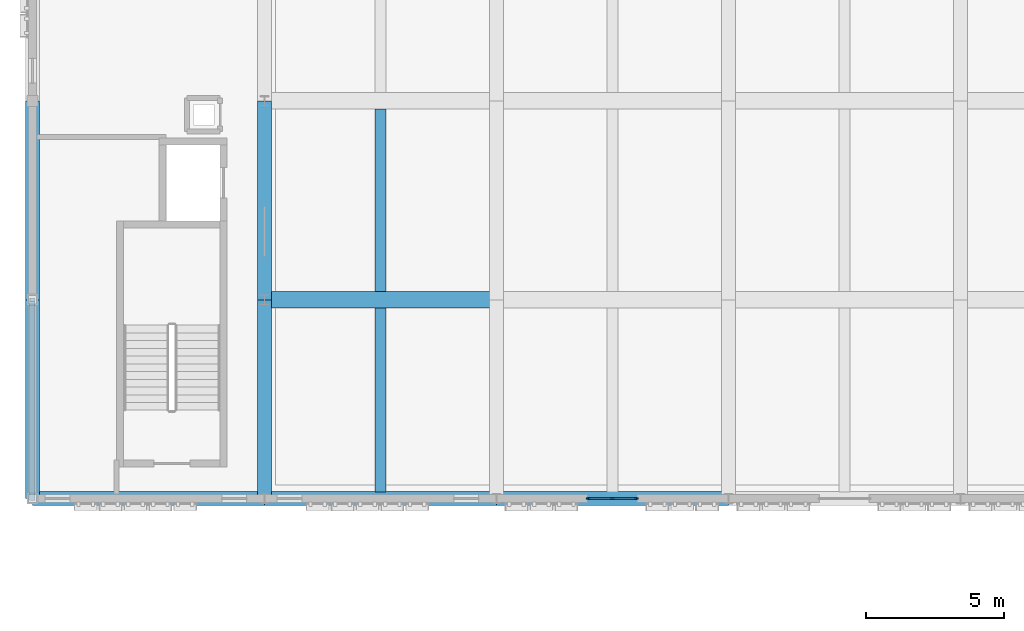
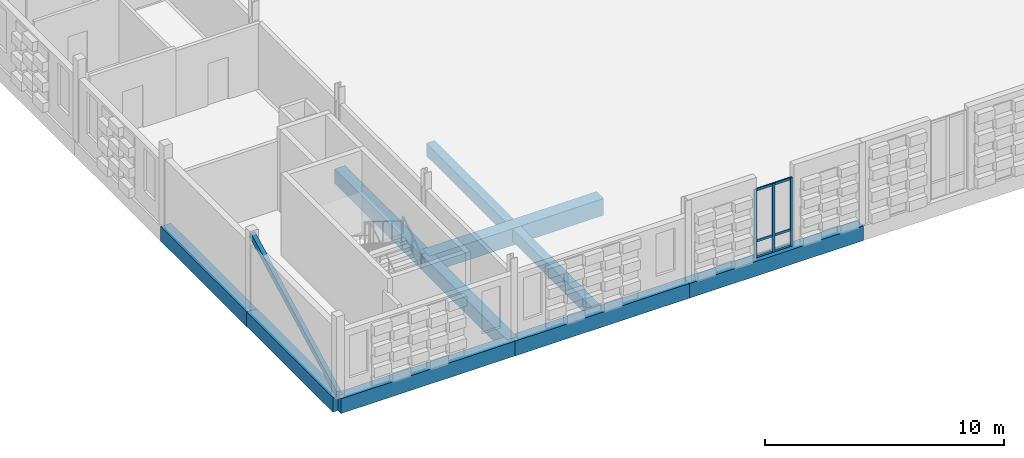
# One storey, part 10 of 99: 10 beams, 7 members, 1 element without a shape of its own.
"""IFC4 building model written with IfcOpenShell, lengths in metres."""

from ifc_helpers import new_model, si_unit, direction, frame, origin, origin_2d, place, context, subcontext, project, spatial, rectangle, hollow_rectangle, extrude, material, material_profile, profile_set, type_object, element, aggregate, save


model = new_model("IFC4")

# Units and contexts
model_context = context("Model", 3, precision=1e-05, world=origin(), true_north=direction((0.0, 1.0)))
body_context = subcontext(model_context, "Body", "Model", "MODEL_VIEW")
ifc_project = project(units=[si_unit("LENGTHUNIT", "METRE"), si_unit("AREAUNIT", "SQUARE_METRE"), si_unit("VOLUMEUNIT", "CUBIC_METRE"), si_unit("PLANEANGLEUNIT", "RADIAN"), si_unit("MASSUNIT", "GRAM", prefix="KILO")], contexts=[model_context])

# Site, building, storey
site_placement = place(None, origin())
site = spatial("IfcSite", under=ifc_project, at=site_placement, CompositionType="ELEMENT")
building_placement = place(site_placement, origin())
building = spatial("IfcBuilding", under=site, at=building_placement, Name="Kahlenmark Community Centre", CompositionType="ELEMENT")
storey_placement = place(building_placement, frame((0.0, 0.0, 5.39990234375)))
storey = spatial("IfcBuildingStorey", under=building, at=storey_placement, Name="L01", CompositionType="ELEMENT", Elevation=5.39990234375)

# Beams
ifc_material_1 = material(Name="Concrete C35/45", Category="concrete")
ifc_material_profile_1 = material_profile(ifc_material_1, rectangle(XDim=0.5, YDim=0.75, at=origin_2d()), Name="RC 500x750")
ifc_profile_set_1 = profile_set([ifc_material_profile_1], Name="Concrete C35/45")
beam_type_1 = type_object("IfcBeamType", Name="BT-BEAM-RC500x750", PredefinedType="BEAM", material=ifc_profile_set_1)
for number, where, z_axis, x_axis, name in (
    (1, (12.39990234375, 8.800048828125, -0.375), (0.0, 1.0, 0.0), (-1.0, 0.0, 0.0), "L01 beam BG-RC500x750"),
    (2, (12.39990234375, 16.0, -0.375), (0.0, 1.0, 0.0), (-1.0, 0.0, 0.0), "L01 beam BG-RC500x750"),
):
    element("IfcBeam", number, at=place(storey_placement, frame(where, z_axis=z_axis, x_axis=x_axis)), inside=storey, type_object=beam_type_1, Name=name, PredefinedType="BEAM", context=body_context, shape_type="SweptSolid", body=[
        extrude(rectangle(XDim=0.5, YDim=0.75, at=origin_2d()), origin(), (0.0, 0.0, 1.0), 7.199951171875),
    ])
ifc_material_profile_2 = material_profile(ifc_material_1, rectangle(XDim=0.60009765625, YDim=0.85009765625, at=origin_2d()), Name="RC 600x850")
ifc_profile_set_2 = profile_set([ifc_material_profile_2], Name="Concrete C35/45")
beam_type_2 = type_object("IfcBeamType", Name="BT-BEAM-RC600x850", PredefinedType="BEAM", material=ifc_profile_set_2)
beam_1_placement = place(storey_placement, frame((12.39990234375, 16.0, -0.4248046875), z_axis=(1.0, 0.0, 0.0), x_axis=(0.0, 1.0, 0.0)))
element("IfcBeam", 3, at=beam_1_placement, inside=storey, type_object=beam_type_2, Name="L01 beam BG-RC600x850", PredefinedType="BEAM", context=body_context, shape_type="SweptSolid", body=[
    extrude(rectangle(XDim=0.60009765625, YDim=0.85009765625, at=origin_2d()), origin(), (0.0, 0.0, 1.0), 8.400146484375),
])
ifc_material_profile_3 = material_profile(ifc_material_1, rectangle(XDim=0.39990234375, YDim=0.64990234375, at=origin_2d()), Name="RC 400x650")
ifc_profile_set_3 = profile_set([ifc_material_profile_3], Name="Concrete C35/45")
beam_type_3 = type_object("IfcBeamType", Name="BT-JOIST-RC400x650", PredefinedType="JOIST", material=ifc_profile_set_3)
beam_2_placement = place(storey_placement, frame((16.60009765625, 9.048095703125, -0.324951171875), z_axis=(0.0, 1.0, 0.0), x_axis=(-1.0, 0.0, 0.0)))
element("IfcBeam", 4, at=beam_2_placement, inside=storey, type_object=beam_type_3, Name="L01 joist BJ-RC400x650", PredefinedType="JOIST", context=body_context, shape_type="SweptSolid", body=[
    extrude(rectangle(XDim=0.39990234375, YDim=0.64990234375, at=origin_2d()), origin(), (0.0, 0.0, 1.0), 6.65380859375),
])
beam_3_placement = place(storey_placement, frame((16.60009765625, 16.298095703125, -0.324951171875), z_axis=(0.0, 1.0, 0.0), x_axis=(-1.0, 0.0, 0.0)))
element("IfcBeam", 5, at=beam_3_placement, inside=storey, type_object=beam_type_3, Name="L01 joist BJ-RC400x650", PredefinedType="JOIST", context=body_context, shape_type="SweptSolid", body=[
    extrude(rectangle(XDim=0.39990234375, YDim=0.64990234375, at=origin_2d()), origin(), (0.0, 0.0, 1.0), 6.60400390625),
])
ifc_material_profile_4 = material_profile(ifc_material_1, rectangle(XDim=0.5, YDim=0.75, at=origin_2d()), Name="RC 500x750")
ifc_profile_set_4 = profile_set([ifc_material_profile_4], Name="Concrete C35/45")
beam_type_4 = type_object("IfcBeamType", Name="BT-SPANDREL-RC500x750", PredefinedType="SPANDREL", material=ifc_profile_set_4)
beam_4_placement = place(storey_placement, frame((4.0, 8.800048828125, -0.375), z_axis=(1.0, 0.0, 0.0), x_axis=(0.0, 1.0, 0.0)))
element("IfcBeam", 6, at=beam_4_placement, inside=storey, type_object=beam_type_4, Name="L01 spandrel SP-RC500x750", PredefinedType="SPANDREL", context=body_context, shape_type="SweptSolid", body=[
    extrude(rectangle(XDim=0.5, YDim=0.75, at=origin_2d()), origin(), (0.0, 0.0, 1.0), 8.39990234375),
])
beam_5_placement = place(storey_placement, frame((12.39990234375, 8.800048828125, -0.375), z_axis=(1.0, 0.0, 0.0), x_axis=(0.0, 1.0, 0.0)))
element("IfcBeam", 7, at=beam_5_placement, inside=storey, type_object=beam_type_4, Name="L01 spandrel SP-RC500x750", PredefinedType="SPANDREL", context=body_context, shape_type="SweptSolid", body=[
    extrude(rectangle(XDim=0.5, YDim=0.75, at=origin_2d()), origin(), (0.0, 0.0, 1.0), 8.400146484375),
])
beam_6_placement = place(storey_placement, frame((20.800048828125, 8.800048828125, -0.375), z_axis=(1.0, 0.0, 0.0), x_axis=(0.0, 1.0, 0.0)))
element("IfcBeam", 8, at=beam_6_placement, inside=storey, type_object=beam_type_4, Name="L01 spandrel SP-RC500x750", PredefinedType="SPANDREL", context=body_context, shape_type="SweptSolid", body=[
    extrude(rectangle(XDim=0.5, YDim=0.75, at=origin_2d()), origin(), (0.0, 0.0, 1.0), 8.39990234375),
])
for number, where, z_axis, x_axis, name in (
    (9, (4.0, 8.800048828125, -0.375), (0.0, 1.0, 0.0), (-1.0, 0.0, 0.0), "L01 spandrel SP-RC500x750"),
    (10, (4.0, 16.0, -0.375), (0.0, 1.0, 0.0), (-1.0, 0.0, 0.0), "L01 spandrel SP-RC500x750"),
):
    element("IfcBeam", number, at=place(storey_placement, frame(where, z_axis=z_axis, x_axis=x_axis)), inside=storey, type_object=beam_type_4, Name=name, PredefinedType="SPANDREL", context=body_context, shape_type="SweptSolid", body=[
        extrude(rectangle(XDim=0.5, YDim=0.75, at=origin_2d()), origin(), (0.0, 0.0, 1.0), 7.199951171875),
    ])

# Member
ifc_material_2 = material(Name="Steel S355", Category="steel")
ifc_material_profile_5 = material_profile(ifc_material_2, hollow_rectangle(XDim=0.199951171875, YDim=0.300048828125, WallThickness=0.011962890625, at=origin_2d()), Name="RHS 300x200x12")
ifc_profile_set_5 = profile_set([ifc_material_profile_5], Name="Steel S355")
member_type_1 = type_object("IfcMemberType", Name="MT-BRACE-RHS300x200x12", PredefinedType="BRACE", material=ifc_profile_set_5)
member_1_placement = place(storey_placement, frame((4.0, 8.800048828125, 0.150146484375), z_axis=(0.0, 0.886912800704, 0.461936883077), x_axis=(-1.0, 0.0, 0.0)))
element("IfcMember", 11, at=member_1_placement, inside=storey, type_object=member_type_1, Name="L01 brace BF-DIAG", PredefinedType="BRACE", context=body_context, shape_type="SweptSolid", body=[
    extrude(hollow_rectangle(XDim=0.199951171875, YDim=0.300048828125, WallThickness=0.011962890625, at=origin_2d()), origin(), (0.0, 0.0, 1.0), 8.117919921875),
])

# Curtain wall, members
ifc_material_3 = material(Name="Anodised aluminium unitised curtain wall", Category="aluminium")
curtain_wall_type = type_object("IfcCurtainWallType", Name="CWT-UNIT-180X350", PredefinedType="USERDEFINED", material=ifc_material_3)
curtain_wall_placement = place(storey_placement, origin())
curtain_wall = element("IfcCurtainWall", 12, at=curtain_wall_placement, inside=storey, type_object=curtain_wall_type, Name="Unitised curtain wall CW-001", ObjectType="UNITISED CURTAIN WALL", PredefinedType="USERDEFINED")
ifc_material_4 = material(Name="Anodised aluminium 6063-T6", Category="aluminium")
ifc_material_profile_6 = material_profile(ifc_material_4, rectangle(XDim=0.06005859375, YDim=0.139892578125, at=origin_2d()), Name="ALU MULLION 60x140")
ifc_profile_set_6 = profile_set([ifc_material_profile_6], Name="Anodised aluminium 6063-T6")
member_type_2 = type_object("IfcMemberType", Name="MT-MUL-140", PredefinedType="MULLION", material=ifc_profile_set_6)
member_2_placement = place(storey_placement, frame((24.1298828125, 8.800048828125, 0.0), z_axis=(0.0, 0.0, 1.0), x_axis=(0.0, 1.0, 0.0)))
member_2 = element("IfcMember", 13, at=member_2_placement, type_object=member_type_2, Name="CW-001 mullion 1", PredefinedType="MULLION", context=body_context, shape_type="SweptSolid", body=[
    extrude(rectangle(XDim=0.06005859375, YDim=0.139892578125, at=origin_2d()), origin(), (0.0, 0.0, 1.0), 3.5),
])
member_3_placement = place(storey_placement, frame((25.0, 8.800048828125, 0.0), z_axis=(0.0, 0.0, 1.0), x_axis=(0.0, 1.0, 0.0)))
member_3 = element("IfcMember", 14, at=member_3_placement, type_object=member_type_2, Name="CW-001 mullion 2", PredefinedType="MULLION", context=body_context, shape_type="SweptSolid", body=[
    extrude(rectangle(XDim=0.06005859375, YDim=0.139892578125, at=origin_2d()), origin(), (0.0, 0.0, 1.0), 3.5),
])
member_4_placement = place(storey_placement, frame((25.8701171875, 8.800048828125, 0.0), z_axis=(0.0, 0.0, 1.0), x_axis=(0.0, 1.0, 0.0)))
member_4 = element("IfcMember", 15, at=member_4_placement, type_object=member_type_2, Name="CW-001 mullion 3", PredefinedType="MULLION", context=body_context, shape_type="SweptSolid", body=[
    extrude(rectangle(XDim=0.06005859375, YDim=0.139892578125, at=origin_2d()), origin(), (0.0, 0.0, 1.0), 3.5),
])
ifc_material_profile_7 = material_profile(ifc_material_4, rectangle(XDim=0.06005859375, YDim=0.1201171875, at=origin_2d()), Name="ALU TRANSOM 60x120")
ifc_profile_set_7 = profile_set([ifc_material_profile_7], Name="Anodised aluminium 6063-T6")
member_type_3 = type_object("IfcMemberType", Name="MT-TRN-120", PredefinedType="USERDEFINED", material=ifc_profile_set_7)
member_5_placement = place(storey_placement, frame((24.1298828125, 8.800048828125, 0.0400390625), z_axis=(1.0, 0.0, 0.0), x_axis=(0.0, 1.0, 0.0)))
member_5 = element("IfcMember", 16, at=member_5_placement, type_object=member_type_3, Name="CW-001 transom 1", ObjectType="TRANSOM", PredefinedType="USERDEFINED", context=body_context, shape_type="SweptSolid", body=[
    extrude(rectangle(XDim=0.06005859375, YDim=0.1201171875, at=origin_2d()), origin(), (0.0, 0.0, 1.0), 1.740234375),
])
member_6_placement = place(storey_placement, frame((24.1298828125, 8.800048828125, 0.85009765625), z_axis=(1.0, 0.0, 0.0), x_axis=(0.0, 1.0, 0.0)))
member_6 = element("IfcMember", 17, at=member_6_placement, type_object=member_type_3, Name="CW-001 transom 2", ObjectType="TRANSOM", PredefinedType="USERDEFINED", context=body_context, shape_type="SweptSolid", body=[
    extrude(rectangle(XDim=0.06005859375, YDim=0.1201171875, at=origin_2d()), origin(), (0.0, 0.0, 1.0), 1.740234375),
])
member_7_placement = place(storey_placement, frame((24.1298828125, 8.800048828125, 3.460205078125), z_axis=(1.0, 0.0, 0.0), x_axis=(0.0, 1.0, 0.0)))
member_7 = element("IfcMember", 18, at=member_7_placement, type_object=member_type_3, Name="CW-001 transom 3", ObjectType="TRANSOM", PredefinedType="USERDEFINED", context=body_context, shape_type="SweptSolid", body=[
    extrude(rectangle(XDim=0.06005859375, YDim=0.1201171875, at=origin_2d()), origin(), (0.0, 0.0, 1.0), 1.740234375),
])
aggregate(curtain_wall, [member_2, member_3, member_4, member_5, member_6, member_7])

save(model, "model.ifc")
